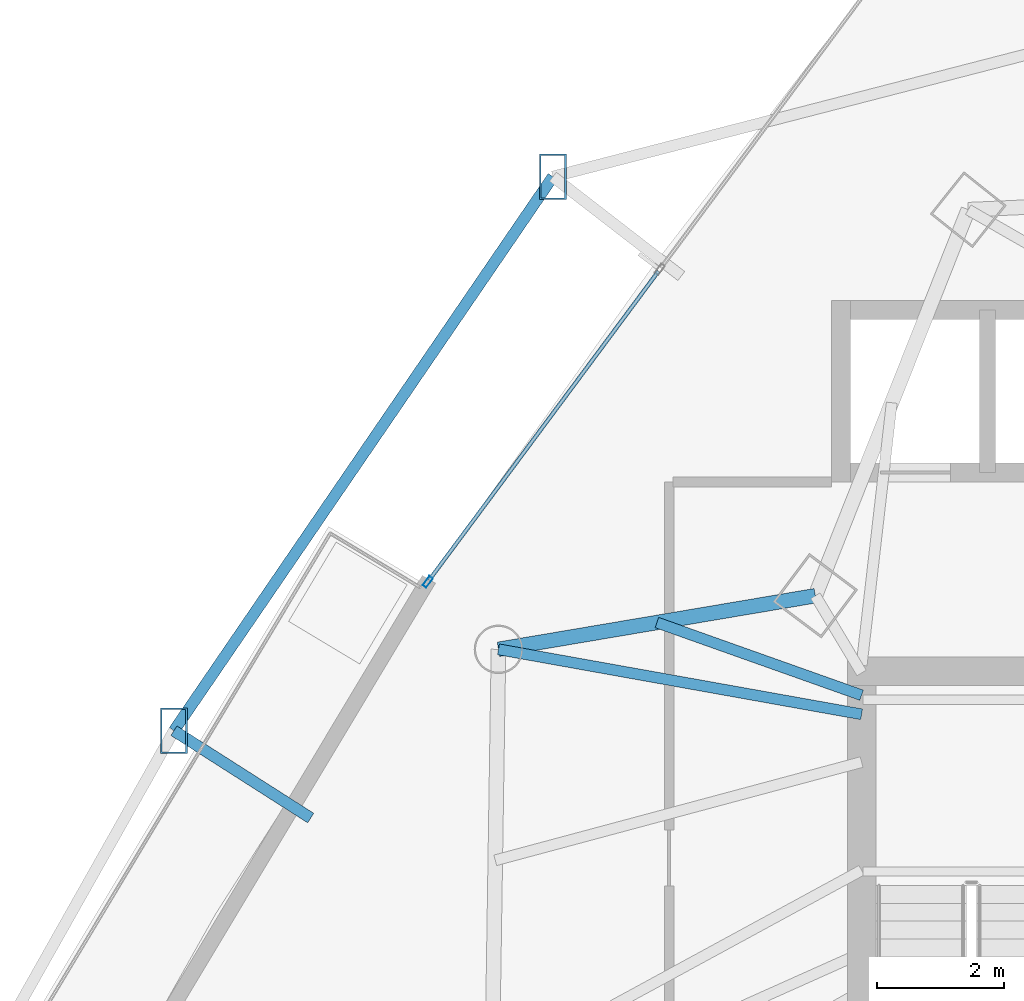
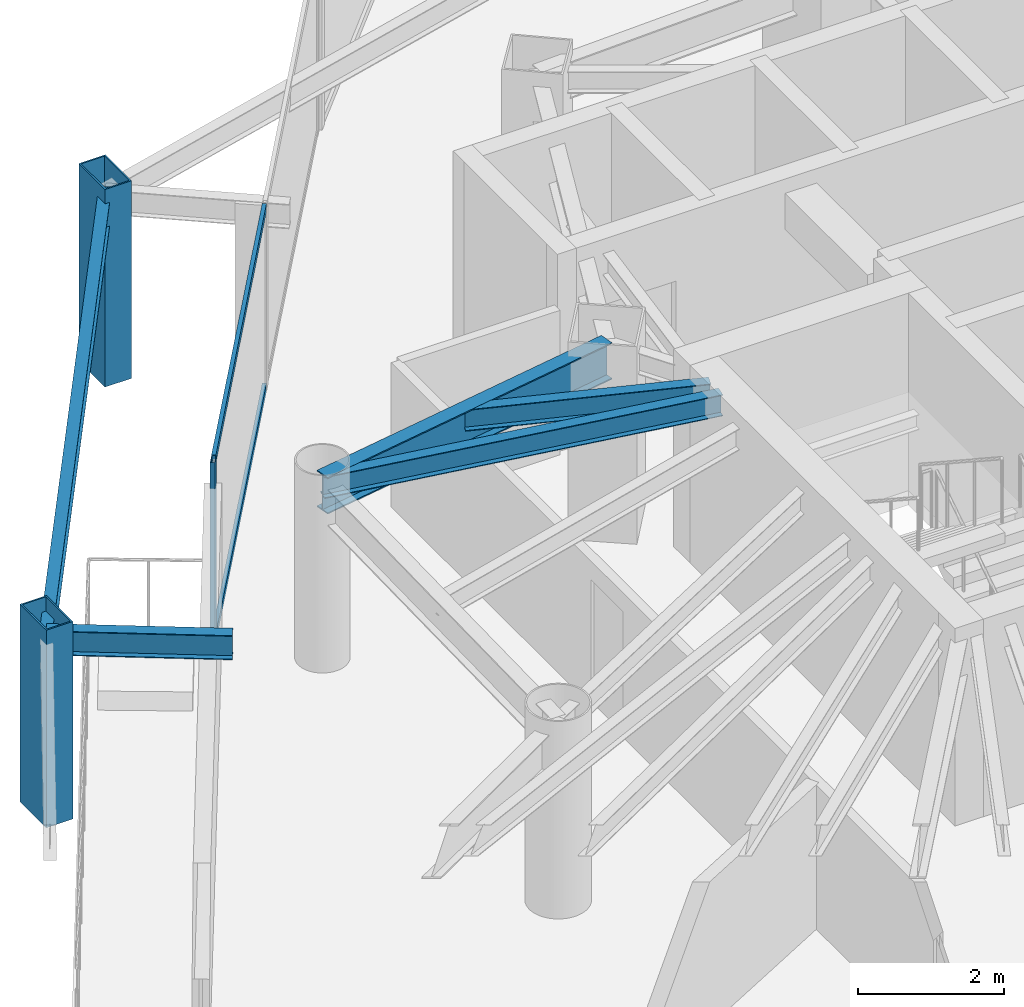
# One storey, part 20 of 34: 5 beams, 5 members, 1 element without a shape of its own.
"""IFC4 building model written with IfcOpenShell, lengths in metres."""

from ifc_helpers import new_model, si_unit, direction, frame, origin, origin_2d, place, context, subcontext, project, spatial, hollow_rectangle, i_section, extrude, material, layer, layer_set, material_profile, profile_set, type_object, element, aggregate, save


model = new_model("IFC4")

# Units and contexts
model_context = context("Model", 3, precision=1e-05, world=origin(), true_north=direction((0.0, 1.0)))
body_context = subcontext(model_context, "Body", "Model", "MODEL_VIEW")
ifc_project = project(units=[si_unit("LENGTHUNIT", "METRE"), si_unit("AREAUNIT", "SQUARE_METRE"), si_unit("VOLUMEUNIT", "CUBIC_METRE"), si_unit("PLANEANGLEUNIT", "RADIAN"), si_unit("MASSUNIT", "GRAM", prefix="KILO")], contexts=[model_context])

# Site, building, storey
site_placement = place(None, origin())
site = spatial("IfcSite", under=ifc_project, at=site_placement, CompositionType="ELEMENT")
building_placement = place(site_placement, origin())
building = spatial("IfcBuilding", under=site, at=building_placement, Name="Orvanel Arch Residences", CompositionType="ELEMENT")
storey_placement = place(building_placement, frame((0.0, 0.0, 77.449951171875)))
storey = spatial("IfcBuildingStorey", under=building, at=storey_placement, Name="L21", CompositionType="ELEMENT", Elevation=77.449951171875)

# Beams
ifc_material_1 = material(Name="Structural steel AS/NZS 3679.1 Grade 300 (300 MPa)", Category="steel")
ifc_material_profile_1 = material_profile(ifc_material_1, i_section(OverallWidth=0.1708984375, OverallDepth=0.35595703125, WebThickness=0.00732421875, FlangeThickness=0.011474609375, at=origin_2d()), Name="360UB50.7")
ifc_profile_set_1 = profile_set([ifc_material_profile_1], Name="Structural steel AS/NZS 3679.1 Grade 300 (300 MPa)")
beam_type_1 = type_object("IfcBeamType", Name="BJ-360UB", PredefinedType="JOIST", material=ifc_profile_set_1)
beam_1_placement = place(storey_placement, frame((26.375, 33.25, 2.882080078125), z_axis=(-0.984360855662, 0.176163860766, 0.0), x_axis=(-0.176163860766, -0.984360855662, 0.0)))
element("IfcBeam", 1, at=beam_1_placement, inside=storey, type_object=beam_type_1, Name="L21 LW Wing Floor Joist", PredefinedType="JOIST", context=body_context, shape_type="SweptSolid", body=[
    extrude(i_section(OverallWidth=0.1708984375, OverallDepth=0.35595703125, WebThickness=0.00732421875, FlangeThickness=0.011474609375, at=origin_2d()), origin(), (0.0, 0.0, 1.0), 5.795654296875),
])
beam_2_placement = place(storey_placement, frame((26.375, 33.550048828125, 2.882080078125), z_axis=(-0.942366638377, 0.334582006201, 0.0), x_axis=(-0.334582006201, -0.942366638377, 0.0)))
element("IfcBeam", 2, at=beam_2_placement, inside=storey, type_object=beam_type_1, Name="L21 JADD3 Wing Floor Joist", PredefinedType="JOIST", context=body_context, shape_type="SweptSolid", body=[
    extrude(i_section(OverallWidth=0.1708984375, OverallDepth=0.35595703125, WebThickness=0.00732421875, FlangeThickness=0.011474609375, at=origin_2d()), origin(), (0.0, 0.0, 1.0), 3.412841796875),
])

# Members
ifc_material_2 = material(Name="Structural steel AS/NZS 3678 Grade 350", Category="steel")
ifc_material_profile_2 = material_profile(ifc_material_2, hollow_rectangle(XDim=0.419921875, YDim=0.719970703125, WallThickness=0.02490234375, at=origin_2d()), Name="RHS720x420x25")
ifc_profile_set_2 = profile_set([ifc_material_profile_2], Name="Structural steel AS/NZS 3678 Grade 350")
member_type_1 = type_object("IfcMemberType", Name="CH-720RHS-EXT", PredefinedType="CHORD", material=ifc_profile_set_2)
for number, where, z_axis, x_axis, name in (
    (3, (21.52490234375, 41.696044921875, 0.0), (0.0, 0.0, 1.0), (1.0, 0.0, 0.0), "L21 Outer Perimeter Frame Post 01"),
    (4, (15.571044921875, 32.991943359375, 0.0), (0.0, 0.0, 1.0), (1.0, 0.0, 0.0), "L21 Outer Perimeter Frame Post 02"),
):
    element("IfcMember", number, at=place(storey_placement, frame(where, z_axis=z_axis, x_axis=x_axis)), inside=storey, type_object=member_type_1, Name=name, PredefinedType="CHORD", context=body_context, shape_type="SweptSolid", body=[
        extrude(hollow_rectangle(XDim=0.419921875, YDim=0.719970703125, WallThickness=0.02490234375, at=origin_2d()), origin(), (0.0, 0.0, 1.0), 3.300048828125),
    ])

# Curtain wall, member
ifc_material_3 = material(Name="Bronze-anodised aluminium AA6063-T6", Category="aluminium")
ifc_layer = layer(ifc_material_3, 0.179931640625)
ifc_layer_set = layer_set([ifc_layer], Name="Bronze-anodised aluminium AA6063-T6")
curtain_wall_type = type_object("IfcCurtainWallType", Name="CW2-LOW-SYS", PredefinedType="NOTDEFINED", material=ifc_layer_set)
curtain_wall_placement = place(storey_placement, origin())
curtain_wall = element("IfcCurtainWall", 5, at=curtain_wall_placement, inside=storey, type_object=curtain_wall_type, Name="L21 CW2-LOW-SYS Unitised Curtain Wall", PredefinedType="NOTDEFINED")
ifc_material_profile_3 = material_profile(ifc_material_3, hollow_rectangle(XDim=0.070068359375, YDim=0.179931640625, WallThickness=0.00439453125, at=origin_2d()), Name="ALU180x70x4.5")
ifc_profile_set_3 = profile_set([ifc_material_profile_3], Name="Bronze-anodised aluminium AA6063-T6")
member_type_2 = type_object("IfcMemberType", Name="MUL-180x70", PredefinedType="MULLION", material=ifc_profile_set_3)
member_1_placement = place(storey_placement, frame((19.558837890625, 35.330078125, 0.0), z_axis=(0.0, 0.0, 1.0), x_axis=(0.802859489606, -0.596168298343, 0.0)))
member_1 = element("IfcMember", 6, at=member_1_placement, type_object=member_type_2, Name="CW-S2 mullion 3", PredefinedType="MULLION", context=body_context, shape_type="SweptSolid", body=[
    extrude(hollow_rectangle(XDim=0.070068359375, YDim=0.179931640625, WallThickness=0.00439453125, at=origin_2d()), origin(), (0.0, 0.0, 1.0), 3.06005859375),
])

# Beams
ifc_material_profile_4 = material_profile(ifc_material_1, i_section(OverallWidth=0.177978515625, OverallDepth=0.406005859375, WebThickness=0.0078125, FlangeThickness=0.0126953125, at=origin_2d()), Name="410UB59.7")
ifc_profile_set_4 = profile_set([ifc_material_profile_4], Name="Structural steel AS/NZS 3679.1 Grade 300 (300 MPa)")
beam_type_2 = type_object("IfcBeamType", Name="OB-410UB-EXT", PredefinedType="SPANDREL", material=ifc_profile_set_4)
beam_3_placement = place(storey_placement, frame((21.52490234375, 41.696044921875, 2.85693359375), z_axis=(-0.564581828757, -0.825377100868, 0.0), x_axis=(0.825377100868, -0.564581828757, 0.0)))
element("IfcBeam", 7, at=beam_3_placement, inside=storey, type_object=beam_type_2, Name="L21 Outer Perimeter Floor Ring Beam 01", PredefinedType="SPANDREL", context=body_context, shape_type="SweptSolid", body=[
    extrude(i_section(OverallWidth=0.177978515625, OverallDepth=0.406005859375, WebThickness=0.0078125, FlangeThickness=0.0126953125, at=origin_2d()), origin(), (0.0, 0.0, 1.0), 10.545654296875),
])
beam_4_placement = place(storey_placement, frame((17.719970703125, 31.6201171875, 2.85693359375), z_axis=(-0.842891714891, 0.538083224946, 0.0), x_axis=(-0.538083224946, -0.842891714891, 0.0)))
element("IfcBeam", 8, at=beam_4_placement, inside=storey, type_object=beam_type_2, Name="L21 Outer Frame Radial Tie Beam 02", PredefinedType="SPANDREL", context=body_context, shape_type="SweptSolid", body=[
    extrude(i_section(OverallWidth=0.177978515625, OverallDepth=0.406005859375, WebThickness=0.0078125, FlangeThickness=0.0126953125, at=origin_2d()), origin(), (0.0, 0.0, 1.0), 2.549560546875),
])
ifc_material_profile_5 = material_profile(ifc_material_1, i_section(OverallWidth=0.22900390625, OverallDepth=0.612060546875, WebThickness=0.011962890625, FlangeThickness=0.01953125, at=origin_2d()), Name="610UB125")
ifc_profile_set_5 = profile_set([ifc_material_profile_5], Name="Structural steel AS/NZS 3679.1 Grade 300 (300 MPa)")
beam_type_3 = type_object("IfcBeamType", Name="SP-610UB", PredefinedType="SPANDREL", material=ifc_profile_set_5)
beam_5_placement = place(storey_placement, frame((25.64794921875, 35.113037109375, 2.754150390625), z_axis=(-0.985993733897, -0.166782363326, 0.0), x_axis=(0.166782363326, -0.985993733897, 0.0)))
element("IfcBeam", 9, at=beam_5_placement, inside=storey, type_object=beam_type_3, Name="L21 Perimeter Spandrel Beam 19", PredefinedType="SPANDREL", context=body_context, shape_type="SweptSolid", body=[
    extrude(i_section(OverallWidth=0.22900390625, OverallDepth=0.612060546875, WebThickness=0.011962890625, FlangeThickness=0.01953125, at=origin_2d()), origin(), (0.0, 0.0, 1.0), 5.048828125),
])

# Member
ifc_material_profile_6 = material_profile(ifc_material_3, hollow_rectangle(XDim=0.06005859375, YDim=0.135009765625, WallThickness=0.00390625, at=origin_2d()), Name="ALU135x60x4")
ifc_profile_set_6 = profile_set([ifc_material_profile_6], Name="Bronze-anodised aluminium AA6063-T6")
member_type_3 = type_object("IfcMemberType", Name="TRN-135x60", PredefinedType="USERDEFINED", material=ifc_profile_set_6)
member_2_placement = place(storey_placement, frame((23.18310546875, 40.2109375, 0.030029296875), z_axis=(-0.596147736106, -0.802874757814, 0.0), x_axis=(0.802874757814, -0.596147736106, 0.0)))
member_2 = element("IfcMember", 10, at=member_2_placement, type_object=member_type_3, Name="CW-S2 transom 2.1", ObjectType="TRANSOM", PredefinedType="USERDEFINED", context=body_context, shape_type="SweptSolid", body=[
    extrude(hollow_rectangle(XDim=0.06005859375, YDim=0.135009765625, WallThickness=0.00390625, at=origin_2d()), origin(), (0.0, 0.0, 1.0), 6.044189453125),
])

member_3_placement = place(storey_placement, frame((23.18310546875, 40.2109375, 3.030029296875), z_axis=(-0.596147736106, -0.802874757814, 0.0), x_axis=(0.802874757814, -0.596147736106, 0.0)))
member_3 = element("IfcMember", 11, at=member_3_placement, type_object=member_type_3, Name="CW-S2 transom 2.2", ObjectType="TRANSOM", PredefinedType="USERDEFINED", context=body_context, shape_type="SweptSolid", body=[
    extrude(hollow_rectangle(XDim=0.06005859375, YDim=0.135009765625, WallThickness=0.00390625, at=origin_2d()), origin(), (0.0, 0.0, 1.0), 6.044189453125),
])

aggregate(curtain_wall, [member_1, member_2, member_3])

save(model, "model.ifc")
